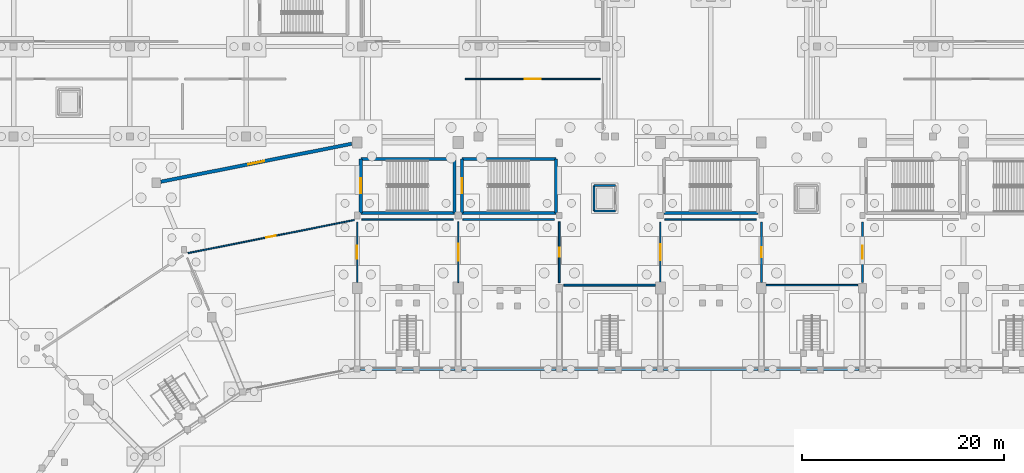
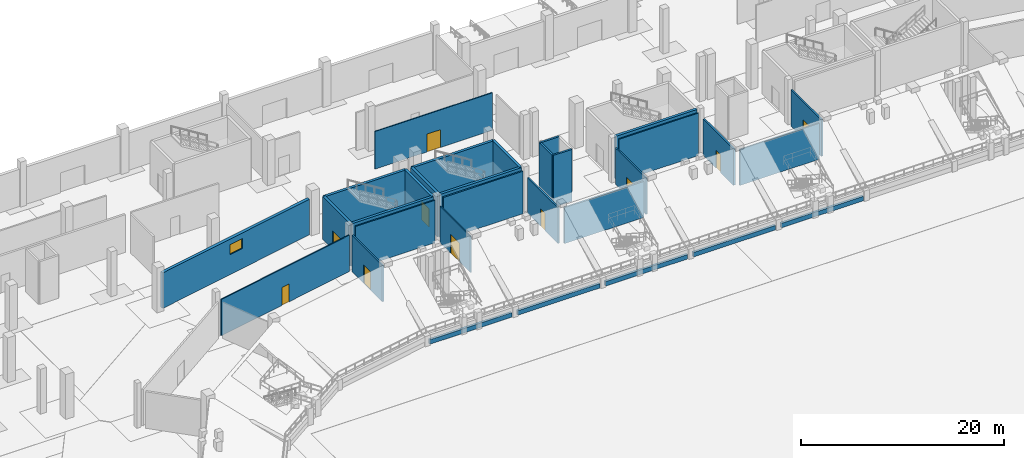
# One storey, part 38 of 68: 31 walls, 10 doors, 1 window, 11 openings.
"""IFC4 building model written with IfcOpenShell, lengths in metres."""

from ifc_helpers import new_model, si_unit, direction, frame, frame_2d, origin, place, context, subcontext, project, spatial, rectangle, extrude, material, layer, layer_set, type_object, element, fill, save


model = new_model("IFC4")

# Units and contexts
model_context = context("Model", 3, precision=1e-05, world=origin(), true_north=direction((0.0, 1.0)))
body_context = subcontext(model_context, "Body", "Model", "MODEL_VIEW")
ifc_project = project(units=[si_unit("LENGTHUNIT", "METRE"), si_unit("AREAUNIT", "SQUARE_METRE"), si_unit("VOLUMEUNIT", "CUBIC_METRE"), si_unit("PLANEANGLEUNIT", "RADIAN"), si_unit("MASSUNIT", "GRAM", prefix="KILO")], contexts=[model_context])

# Site, building, storey
site_placement = place(None, origin())
site = spatial("IfcSite", under=ifc_project, at=site_placement, CompositionType="ELEMENT")
building_placement = place(site_placement, origin())
building = spatial("IfcBuilding", under=site, at=building_placement, Name="Candeia Ridge Stadium", CompositionType="ELEMENT")
storey_placement = place(building_placement, origin())
storey = spatial("IfcBuildingStorey", under=building, at=storey_placement, Name="L00", CompositionType="ELEMENT", Elevation=0.0)

# Walls
ifc_material_1 = material(Name="Gypsum Metal-Stud Partition", Category="gypsum")
ifc_layer_1 = layer(ifc_material_1, 0.14501953125, Name="Gypsum Metal-Stud Partition", Category="gypsum")
ifc_layer_set_1 = layer_set([ifc_layer_1], Name="Gypsum Metal-Stud Partition")
wall_type_1 = type_object("IfcWallType", Name="Athlete Recovery Partition 145", PredefinedType="PARTITIONING", material=ifc_layer_set_1)
wall_1_placement = place(storey_placement, frame((101.449951171875, 139.39990234375, 0.0), z_axis=(0.0, 0.0, 1.0), x_axis=(1.0, 0.0, 0.0)))
element("IfcWall", 1, at=wall_1_placement, inside=storey, type_object=wall_type_1, Name="Demising partition PT-L00-0119", PredefinedType="PARTITIONING", context=body_context, shape_type="SweptSolid", body=[
    extrude(rectangle(XDim=9.06005859375, YDim=0.14501953125, at=frame_2d((4.530029296875, 0.0))), origin(), (0.0, 0.0, 1.0), 5.1201171875),
])
ifc_material_2 = material(Name="Gypsum Acoustic Twin-Stud Assembly", Category="gypsum")
ifc_layer_2 = layer(ifc_material_2, 0.159912109375, Name="Gypsum Acoustic Twin-Stud Assembly", Category="gypsum")
ifc_layer_set_2 = layer_set([ifc_layer_2], Name="Gypsum Acoustic Twin-Stud Assembly")
wall_type_2 = type_object("IfcWallType", Name="Club Dining Acoustic Partition 160", PredefinedType="PARTITIONING", material=ifc_layer_set_2)
wall_2_placement = place(storey_placement, frame((120.510009765625, 132.89990234375, 0.0), z_axis=(0.0, 0.0, 1.0), x_axis=(-1.0, 0.0, 0.0)))
element("IfcWall", 2, at=wall_2_placement, inside=storey, type_object=wall_type_2, Name="Demising partition PT-L00-0117", PredefinedType="PARTITIONING", context=body_context, shape_type="SweptSolid", body=[
    extrude(rectangle(XDim=9.06005859375, YDim=0.159912109375, at=frame_2d((4.530029296875, 0.0))), origin(), (0.0, 0.0, 1.0), 4.324951171875),
])
ifc_material_3 = material(Name="Concrete Masonry Blockwork C25/30", Category="masonry")
ifc_layer_3 = layer(ifc_material_3, 0.14990234375, Name="Concrete Masonry Blockwork C25/30", Category="masonry")
ifc_layer_set_3 = layer_set([ifc_layer_3], Name="Concrete Masonry Blockwork C25/30")
wall_type_3 = type_object("IfcWallType", Name="Concourse Kiosk Partition 150", PredefinedType="PARTITIONING", material=ifc_layer_set_3)
wall_3_placement = place(storey_placement, frame((71.449951171875, 139.39990234375, 0.0), z_axis=(0.0, 0.0, 1.0), x_axis=(1.0, 0.0, 0.0)))
element("IfcWall", 3, at=wall_3_placement, inside=storey, type_object=wall_type_3, Name="Demising partition PT-L00-0125", PredefinedType="PARTITIONING", context=body_context, shape_type="SweptSolid", body=[
    extrude(rectangle(XDim=9.06005859375, YDim=0.14990234375, at=frame_2d((4.530029296875, 0.0))), origin(), (0.0, 0.0, 1.0), 5.1201171875),
])
ifc_material_4 = material(Name="Concrete C45/55", Category="concrete")
ifc_layer_4 = layer(ifc_material_4, 0.300048828125, Name="Concrete C45/55", Category="concrete")
ifc_layer_set_4 = layer_set([ifc_layer_4], Name="Concrete C45/55")
wall_type_4 = type_object("IfcWallType", Name="Core Shear Wall Concrete 300", PredefinedType="SHEAR", material=ifc_layer_set_4)
wall_4_placement = place(storey_placement, frame((71.350341796875, 140.05029296875, 0.0), z_axis=(0.0, 0.0, 1.0), x_axis=(1.0, 0.0, 0.0)))
element("IfcWall", 4, at=wall_4_placement, inside=storey, type_object=wall_type_4, Name="Core C01 left shear wall L00", PredefinedType="SHEAR", context=body_context, shape_type="SweptSolid", body=[
    extrude(rectangle(XDim=9.29931640625, YDim=0.300048828125, at=frame_2d((4.649658203125, 0.0))), origin(), (0.0, 0.0, 1.0), 5.139892578125),
])
wall_5_placement = place(storey_placement, frame((80.649658203125, 140.05029296875, 0.0), z_axis=(0.0, 0.0, 1.0), x_axis=(0.0, 1.0, 0.0)))
element("IfcWall", 5, at=wall_5_placement, inside=storey, type_object=wall_type_4, Name="Core C01 far shear wall L00", PredefinedType="SHEAR", context=body_context, shape_type="SweptSolid", body=[
    extrude(rectangle(XDim=5.349365234375, YDim=0.300048828125, at=frame_2d((2.6748046875, 0.0))), origin(), (0.0, 0.0, 1.0), 5.139892578125),
])
wall_6_placement = place(storey_placement, frame((80.649658203125, 145.399658203125, 0.0), z_axis=(0.0, 0.0, 1.0), x_axis=(-1.0, 0.0, 0.0)))
element("IfcWall", 6, at=wall_6_placement, inside=storey, type_object=wall_type_4, Name="Core C01 right shear wall L00", PredefinedType="SHEAR", context=body_context, shape_type="SweptSolid", body=[
    extrude(rectangle(XDim=9.29931640625, YDim=0.300048828125, at=frame_2d((4.649658203125, 0.0))), origin(), (0.0, 0.0, 1.0), 5.139892578125),
])

# Wall, opening, door
wall_7_placement = place(storey_placement, frame((71.350341796875, 145.399658203125, 0.0), z_axis=(0.0, 0.0, 1.0), x_axis=(0.0, -1.0, 0.0)))
wall_7 = element("IfcWall", 7, at=wall_7_placement, inside=storey, type_object=wall_type_4, Name="Core C01 near shear wall L00", PredefinedType="SHEAR", context=body_context, shape_type="SweptSolid", body=[
    extrude(rectangle(XDim=5.349365234375, YDim=0.300048828125, at=frame_2d((2.6748046875, 0.0))), origin(), (0.0, 0.0, 1.0), 5.139892578125),
])
opening_1_placement = place(wall_7_placement, frame((1.924560546875, 0.0, 0.0)))
opening_1 = element("IfcOpeningElement", 8, at=opening_1_placement, cuts=wall_7, Name="Opening FD01", PredefinedType="OPENING", context=body_context, shape_type="SweptSolid", body=[
    extrude(rectangle(XDim=1.5, YDim=2.199951171875, at=frame_2d((0.75, 1.10009765625))), frame((0.0, 0.159912109375, 0.0), z_axis=(0.0, -1.0, 0.0), x_axis=(1.0, 0.0, 0.0)), (0.0, 0.0, 1.0), 0.320068359375),
])
ifc_material_5 = material(Name="Galvanized Fire-Rated Steel", Category="steel")
door_type_1 = type_object("IfcDoorType", Name="Exit Stair Core Fire Door 1500x2200", OperationType="NOTDEFINED", PredefinedType="DOOR", material=ifc_material_5)
door_1_placement = place(opening_1_placement, frame((1.5, 0.0, 0.0), z_axis=(0.0, 0.0, 1.0), x_axis=(-1.0, 0.0, 0.0)))
door_1 = element("IfcDoor", 9, at=door_1_placement, inside=storey, type_object=door_type_1, Name="Exit stair fire door SD-ST01-L00", OperationType="DOUBLE_DOOR_SINGLE_SWING", OverallHeight=2.199951171875, OverallWidth=1.5, PredefinedType="DOOR", context=body_context, shape_type="SweptSolid", body=[
    extrude(rectangle(XDim=1.5, YDim=2.199951171875, at=frame_2d((0.75, 1.10009765625))), frame((0.0, 0.02490234375, 0.0), z_axis=(0.0, -1.0, 0.0), x_axis=(1.0, 0.0, 0.0)), (0.0, 0.0, 1.0), 0.050048828125),
])
fill(opening_1, door_1)

# Walls
wall_8_placement = place(storey_placement, frame((81.350341796875, 140.05029296875, 0.0), z_axis=(0.0, 0.0, 1.0), x_axis=(1.0, 0.0, 0.0)))
element("IfcWall", 10, at=wall_8_placement, inside=storey, type_object=wall_type_4, Name="Core C09 left shear wall L00", PredefinedType="SHEAR", context=body_context, shape_type="SweptSolid", body=[
    extrude(rectangle(XDim=9.29931640625, YDim=0.300048828125, at=frame_2d((4.649658203125, 0.0))), origin(), (0.0, 0.0, 1.0), 5.139892578125),
])
wall_9_placement = place(storey_placement, frame((90.649658203125, 140.05029296875, 0.0), z_axis=(0.0, 0.0, 1.0), x_axis=(0.0, 1.0, 0.0)))
element("IfcWall", 11, at=wall_9_placement, inside=storey, type_object=wall_type_4, Name="Core C09 far shear wall L00", PredefinedType="SHEAR", context=body_context, shape_type="SweptSolid", body=[
    extrude(rectangle(XDim=5.349365234375, YDim=0.300048828125, at=frame_2d((2.6748046875, 0.0))), origin(), (0.0, 0.0, 1.0), 5.139892578125),
])
wall_10_placement = place(storey_placement, frame((90.649658203125, 145.399658203125, 0.0), z_axis=(0.0, 0.0, 1.0), x_axis=(-1.0, 0.0, 0.0)))
element("IfcWall", 12, at=wall_10_placement, inside=storey, type_object=wall_type_4, Name="Core C09 right shear wall L00", PredefinedType="SHEAR", context=body_context, shape_type="SweptSolid", body=[
    extrude(rectangle(XDim=9.29931640625, YDim=0.300048828125, at=frame_2d((4.649658203125, 0.0))), origin(), (0.0, 0.0, 1.0), 5.139892578125),
])

# Wall, opening, door
wall_11_placement = place(storey_placement, frame((81.350341796875, 145.399658203125, 0.0), z_axis=(0.0, 0.0, 1.0), x_axis=(0.0, -1.0, 0.0)))
wall_11 = element("IfcWall", 13, at=wall_11_placement, inside=storey, type_object=wall_type_4, Name="Core C09 near shear wall L00", PredefinedType="SHEAR", context=body_context, shape_type="SweptSolid", body=[
    extrude(rectangle(XDim=5.349365234375, YDim=0.300048828125, at=frame_2d((2.6748046875, 0.0))), origin(), (0.0, 0.0, 1.0), 5.139892578125),
])
opening_2_placement = place(wall_11_placement, frame((1.924560546875, 0.0, 0.0)))
opening_2 = element("IfcOpeningElement", 14, at=opening_2_placement, cuts=wall_11, Name="Opening FD01", PredefinedType="OPENING", context=body_context, shape_type="SweptSolid", body=[
    extrude(rectangle(XDim=1.5, YDim=2.199951171875, at=frame_2d((0.75, 1.10009765625))), frame((0.0, 0.159912109375, 0.0), z_axis=(0.0, -1.0, 0.0), x_axis=(1.0, 0.0, 0.0)), (0.0, 0.0, 1.0), 0.320068359375),
])
door_2_placement = place(opening_2_placement, frame((1.5, 0.0, 0.0), z_axis=(0.0, 0.0, 1.0), x_axis=(-1.0, 0.0, 0.0)))
door_2 = element("IfcDoor", 15, at=door_2_placement, inside=storey, type_object=door_type_1, Name="Exit stair fire door SD-ST09-L00", OperationType="DOUBLE_DOOR_SINGLE_SWING", OverallHeight=2.199951171875, OverallWidth=1.5, PredefinedType="DOOR", context=body_context, shape_type="SweptSolid", body=[
    extrude(rectangle(XDim=1.5, YDim=2.199951171875, at=frame_2d((0.75, 1.10009765625))), frame((0.0, 0.02490234375, 0.0), z_axis=(0.0, -1.0, 0.0), x_axis=(1.0, 0.0, 0.0)), (0.0, 0.0, 1.0), 0.050048828125),
])
fill(opening_2, door_2)

# Wall
wall_12_placement = place(storey_placement, frame((101.350341796875, 140.05029296875, 0.0), z_axis=(0.0, 0.0, 1.0), x_axis=(1.0, 0.0, 0.0)))
element("IfcWall", 16, at=wall_12_placement, inside=storey, type_object=wall_type_4, Name="Core C17 left shear wall L00", PredefinedType="SHEAR", context=body_context, shape_type="SweptSolid", body=[
    extrude(rectangle(XDim=9.29931640625, YDim=0.300048828125, at=frame_2d((4.649658203125, 0.0))), origin(), (0.0, 0.0, 1.0), 5.139892578125),
])

# Wall, opening, door
ifc_layer_5 = layer(ifc_material_2, 0.179931640625, Name="Gypsum Acoustic Twin-Stud Assembly", Category="gypsum")
ifc_layer_set_5 = layer_set([ifc_layer_5], Name="Gypsum Acoustic Twin-Stud Assembly")
wall_type_5 = type_object("IfcWallType", Name="Corridor Fire Partition 180", PredefinedType="PARTITIONING", material=ifc_layer_set_5)
wall_13_placement = place(storey_placement, frame((91.0, 133.14990234375, 0.0), z_axis=(0.0, 0.0, 1.0), x_axis=(0.0, 1.0, 0.0)))
wall_13 = element("IfcWall", 17, at=wall_13_placement, inside=storey, type_object=wall_type_5, Name="Interior partition PT-L00-0120", PredefinedType="PARTITIONING", context=body_context, shape_type="SweptSolid", body=[
    extrude(rectangle(XDim=6.0, YDim=0.179931640625, at=frame_2d((3.0, 0.0))), origin(), (0.0, 0.0, 1.0), 4.304931640625),
])
opening_3_placement = place(wall_13_placement, frame((2.550048828125, 0.0, 0.0)))
opening_3 = element("IfcOpeningElement", 18, at=opening_3_placement, cuts=wall_13, Name="Opening ID07", PredefinedType="OPENING", context=body_context, shape_type="SweptSolid", body=[
    extrude(rectangle(XDim=0.89990234375, YDim=2.10009765625, at=frame_2d((0.449951171875, 1.050048828125))), frame((0.0, 0.099853515625, 0.0), z_axis=(0.0, -1.0, 0.0), x_axis=(1.0, 0.0, 0.0)), (0.0, 0.0, 1.0), 0.199951171875),
])
ifc_material_6 = material(Name="Moisture-Resistant Laminate", Category="wood")
door_type_2 = type_object("IfcDoorType", Name="Sanitary Lobby Single Door 900x2100", OperationType="NOTDEFINED", PredefinedType="DOOR", material=ifc_material_6)
door_3_placement = place(opening_3_placement, frame((0.89990234375, 0.0, 0.0), z_axis=(0.0, 0.0, 1.0), x_axis=(-1.0, 0.0, 0.0)))
door_3 = element("IfcDoor", 19, at=door_3_placement, inside=storey, type_object=door_type_2, Name="Interior room door D-L00-0064", OperationType="SINGLE_SWING_RIGHT", OverallHeight=2.10009765625, OverallWidth=0.89990234375, PredefinedType="DOOR", context=body_context, shape_type="SweptSolid", body=[
    extrude(rectangle(XDim=0.89990234375, YDim=2.10009765625, at=frame_2d((0.449951171875, 1.050048828125))), frame((0.0, 0.02490234375, 0.0), z_axis=(0.0, -1.0, 0.0), x_axis=(1.0, 0.0, 0.0)), (0.0, 0.0, 1.0), 0.050048828125),
])
fill(opening_3, door_3)

# Wall, opening, window
ifc_material_7 = material(Name="Concrete C40/50", Category="concrete")
ifc_layer_6 = layer(ifc_material_7, 0.340087890625, Name="Concrete C40/50", Category="concrete")
ifc_layer_set_6 = layer_set([ifc_layer_6], Name="Concrete C40/50")
wall_type_6 = type_object("IfcWallType", Name="Exterior Acoustic Bowl Plinth Wall 340", PredefinedType="SOLIDWALL", material=ifc_layer_set_6)
wall_14_placement = place(storey_placement, frame((70.44970703125, 146.890380859375, 0.0), z_axis=(0.0, 0.0, 1.0), x_axis=(-0.980787488403, -0.195079221324, 0.0)))
wall_14 = element("IfcWall", 20, at=wall_14_placement, inside=storey, type_object=wall_type_6, Name="Bowl plinth exterior wall EW-L00-0001", PredefinedType="SOLIDWALL", context=body_context, shape_type="SweptSolid", body=[
    extrude(rectangle(XDim=19.24560546875, YDim=0.340087890625, at=frame_2d((9.622802734375, 0.0))), origin(), (0.0, 0.0, 1.0), 4.27490234375),
])
opening_4_placement = place(wall_14_placement, frame((8.82275390625, 0.0, 2.39990234375)))
opening_4 = element("IfcOpeningElement", 21, at=opening_4_placement, cuts=wall_14, Name="Opening W15", PredefinedType="OPENING", context=body_context, shape_type="SweptSolid", body=[
    extrude(rectangle(XDim=1.60009765625, YDim=1.199951171875, at=frame_2d((0.800048828125, 0.60009765625))), frame((0.0, 0.179931640625, 0.0), z_axis=(0.0, -1.0, 0.0), x_axis=(1.0, 0.0, 0.0)), (0.0, 0.0, 1.0), 0.360107421875),
])
ifc_material_8 = material(Name="Tempered Solar-Control Double Glazing", Category="glass")
window_type = type_object("IfcWindowType", Name="Plant Acoustic Louvre Window 1600x1200", PartitioningType="SINGLE_PANEL", PredefinedType="WINDOW", material=ifc_material_8)
window_placement = place(opening_4_placement, origin())
window = element("IfcWindow", 22, at=window_placement, inside=storey, type_object=window_type, Name="Bowl plinth louvre window WIN-BWL-001", OverallHeight=1.199951171875, OverallWidth=1.60009765625, PartitioningType="SINGLE_PANEL", PredefinedType="WINDOW", context=body_context, shape_type="SweptSolid", body=[
    extrude(rectangle(XDim=1.60009765625, YDim=1.199951171875, at=frame_2d((0.800048828125, 0.60009765625))), frame((0.0, 0.030029296875, 0.0), z_axis=(0.0, -1.0, 0.0), x_axis=(1.0, 0.0, 0.0)), (0.0, 0.0, 1.0), 0.06005859375),
])
fill(opening_4, window)

# Wall, opening, door
ifc_layer_7 = layer(ifc_material_1, 0.135009765625, Name="Gypsum Metal-Stud Partition", Category="gypsum")
ifc_layer_set_7 = layer_set([ifc_layer_7], Name="Gypsum Metal-Stud Partition")
wall_type_7 = type_object("IfcWallType", Name="General Room Partition 135", PredefinedType="PARTITIONING", material=ifc_layer_set_7)
wall_15_placement = place(storey_placement, frame((81.0, 133.14990234375, 0.0), z_axis=(0.0, 0.0, 1.0), x_axis=(0.0, 1.0, 0.0)))
wall_15 = element("IfcWall", 23, at=wall_15_placement, inside=storey, type_object=wall_type_7, Name="Interior partition PT-L00-0122", PredefinedType="PARTITIONING", context=body_context, shape_type="SweptSolid", body=[
    extrude(rectangle(XDim=6.0, YDim=0.135009765625, at=frame_2d((3.0, 0.0))), origin(), (0.0, 0.0, 1.0), 4.344970703125),
])
opening_5_placement = place(wall_15_placement, frame((2.14990234375, 0.0, 0.0)))
opening_5 = element("IfcOpeningElement", 24, at=opening_5_placement, cuts=wall_15, Name="Opening ID09", PredefinedType="OPENING", context=body_context, shape_type="SweptSolid", body=[
    extrude(rectangle(XDim=1.699951171875, YDim=2.25, at=frame_2d((0.85009765625, 1.125))), frame((0.0, 0.077392578125, 0.0), z_axis=(0.0, -1.0, 0.0), x_axis=(1.0, 0.0, 0.0)), (0.0, 0.0, 1.0), 0.155029296875),
])
ifc_material_9 = material(Name="Timber Fire-Rated Acoustic", Category="wood")
door_type_3 = type_object("IfcDoorType", Name="Founders Lounge Double Door 1700x2250", OperationType="NOTDEFINED", PredefinedType="DOOR", material=ifc_material_9)
door_4_placement = place(opening_5_placement, origin())
door_4 = element("IfcDoor", 25, at=door_4_placement, inside=storey, type_object=door_type_3, Name="Interior room door D-L00-0065", OperationType="DOUBLE_DOOR_SINGLE_SWING", OverallHeight=2.25, OverallWidth=1.699951171875, PredefinedType="DOOR", context=body_context, shape_type="SweptSolid", body=[
    extrude(rectangle(XDim=1.699951171875, YDim=2.25, at=frame_2d((0.85009765625, 1.125))), frame((0.0, 0.02490234375, 0.0), z_axis=(0.0, -1.0, 0.0), x_axis=(1.0, 0.0, 0.0)), (0.0, 0.0, 1.0), 0.050048828125),
])
fill(opening_5, door_4)

# Walls
ifc_layer_8 = layer(ifc_material_2, 0.1650390625, Name="Gypsum Acoustic Twin-Stud Assembly", Category="gypsum")
ifc_layer_set_8 = layer_set([ifc_layer_8], Name="Gypsum Acoustic Twin-Stud Assembly")
wall_type_8 = type_object("IfcWallType", Name="Hospitality Suite Acoustic Wall 165", PredefinedType="PARTITIONING", material=ifc_layer_set_8)
wall_16_placement = place(storey_placement, frame((81.449951171875, 139.39990234375, 0.0), z_axis=(0.0, 0.0, 1.0), x_axis=(1.0, 0.0, 0.0)))
element("IfcWall", 26, at=wall_16_placement, inside=storey, type_object=wall_type_8, Name="Demising partition PT-L00-0123", PredefinedType="PARTITIONING", context=body_context, shape_type="SweptSolid", body=[
    extrude(rectangle(XDim=9.06005859375, YDim=0.1650390625, at=frame_2d((4.530029296875, 0.0))), origin(), (0.0, 0.0, 1.0), 5.1201171875),
])
ifc_layer_9 = layer(ifc_material_7, 0.219970703125, Name="Concrete C40/50", Category="concrete")
ifc_layer_set_9 = layer_set([ifc_layer_9], Name="Concrete C40/50")
wall_type_9 = type_object("IfcWallType", Name="Lift & Riser Shaft Wall 220", PredefinedType="SHEAR", material=ifc_layer_set_9)
for number, where, z_axis, x_axis, name in (
    (27, (94.43994140625, 140.239990234375, -1.10009765625), (0.0, 0.0, 1.0), (1.0, 0.0, 0.0), "Lift PL1 shaft wall L00 south"),
    (28, (96.56005859375, 142.760009765625, -1.10009765625), (0.0, 0.0, 1.0), (-1.0, 0.0, 0.0), "Lift PL1 shaft wall L00 north"),
):
    element("IfcWall", number, at=place(storey_placement, frame(where, z_axis=z_axis, x_axis=x_axis)), inside=storey, type_object=wall_type_9, Name=name, PredefinedType="SHEAR", context=body_context, shape_type="SweptSolid", body=[
        extrude(rectangle(XDim=2.1201171875, YDim=0.219970703125, at=frame_2d((1.06005859375, 0.0))), origin(), (0.0, 0.0, 1.0), 6.239990234375),
    ])
wall_17_placement = place(storey_placement, frame((94.43994140625, 142.760009765625, -1.10009765625), z_axis=(0.0, 0.0, 1.0), x_axis=(0.0, -1.0, 0.0)))
element("IfcWall", 29, at=wall_17_placement, inside=storey, type_object=wall_type_9, Name="Lift PL1 shaft wall L00 west", PredefinedType="SHEAR", context=body_context, shape_type="SweptSolid", body=[
    extrude(rectangle(XDim=2.52001953125, YDim=0.219970703125, at=frame_2d((1.260009765625, 0.0))), origin(), (0.0, 0.0, 1.0), 6.239990234375),
])

# Wall, opening, door
ifc_material_10 = material(Name="Gypsum Acoustic Triple-Board Wall", Category="gypsum")
ifc_layer_10 = layer(ifc_material_10, 0.18994140625, Name="Gypsum Acoustic Triple-Board Wall", Category="gypsum")
ifc_layer_set_10 = layer_set([ifc_layer_10], Name="Gypsum Acoustic Triple-Board Wall")
wall_type_10 = type_object("IfcWallType", Name="Media & Commentary Studio Wall 190", PredefinedType="PARTITIONING", material=ifc_layer_set_10)
wall_18_placement = place(storey_placement, frame((121.0, 133.14990234375, 0.0), z_axis=(0.0, 0.0, 1.0), x_axis=(0.0, 1.0, 0.0)))
wall_18 = element("IfcWall", 30, at=wall_18_placement, inside=storey, type_object=wall_type_10, Name="Interior partition PT-L00-0114", PredefinedType="PARTITIONING", context=body_context, shape_type="SweptSolid", body=[
    extrude(rectangle(XDim=6.0, YDim=0.18994140625, at=frame_2d((3.0, 0.0))), origin(), (0.0, 0.0, 1.0), 4.375),
])
opening_6_placement = place(wall_18_placement, frame((2.35009765625, 0.0, 0.0)))
opening_6 = element("IfcOpeningElement", 31, at=opening_6_placement, cuts=wall_18, Name="Opening ID13", PredefinedType="OPENING", context=body_context, shape_type="SweptSolid", body=[
    extrude(rectangle(XDim=1.300048828125, YDim=2.199951171875, at=frame_2d((0.64990234375, 1.10009765625))), frame((0.0, 0.10498046875, 0.0), z_axis=(0.0, -1.0, 0.0), x_axis=(1.0, 0.0, 0.0)), (0.0, 0.0, 1.0), 0.2099609375),
])
door_type_4 = type_object("IfcDoorType", Name="Medical Clinic Wide Door 1300x2200", OperationType="NOTDEFINED", PredefinedType="DOOR", material=ifc_material_6)
door_5_placement = place(opening_6_placement, origin())
door_5 = element("IfcDoor", 32, at=door_5_placement, inside=storey, type_object=door_type_4, Name="Interior room door D-L00-0061", OperationType="SINGLE_SWING_RIGHT", OverallHeight=2.199951171875, OverallWidth=1.300048828125, PredefinedType="DOOR", context=body_context, shape_type="SweptSolid", body=[
    extrude(rectangle(XDim=1.300048828125, YDim=2.199951171875, at=frame_2d((0.64990234375, 1.10009765625))), frame((0.0, 0.02490234375, 0.0), z_axis=(0.0, -1.0, 0.0), x_axis=(1.0, 0.0, 0.0)), (0.0, 0.0, 1.0), 0.050048828125),
])
fill(opening_6, door_5)

# Wall
ifc_layer_11 = layer(ifc_material_10, 0.18505859375, Name="Gypsum Acoustic Triple-Board Wall", Category="gypsum")
ifc_layer_set_11 = layer_set([ifc_layer_11], Name="Gypsum Acoustic Triple-Board Wall")
wall_type_11 = type_object("IfcWallType", Name="Media Booth Studio Divider 185", PredefinedType="PARTITIONING", material=ifc_layer_set_11)
wall_19_placement = place(storey_placement, frame((100.510009765625, 132.89990234375, 0.0), z_axis=(0.0, 0.0, 1.0), x_axis=(-1.0, 0.0, 0.0)))
element("IfcWall", 33, at=wall_19_placement, inside=storey, type_object=wall_type_11, Name="Demising partition PT-L00-0121", PredefinedType="PARTITIONING", context=body_context, shape_type="SweptSolid", body=[
    extrude(rectangle(XDim=9.06005859375, YDim=0.18505859375, at=frame_2d((4.530029296875, 0.0))), origin(), (0.0, 0.0, 1.0), 4.324951171875),
])

# Wall, opening, door
ifc_layer_12 = layer(ifc_material_2, 0.175048828125, Name="Gypsum Acoustic Twin-Stud Assembly", Category="gypsum")
ifc_layer_set_12 = layer_set([ifc_layer_12], Name="Gypsum Acoustic Twin-Stud Assembly")
wall_type_12 = type_object("IfcWallType", Name="Museum Acoustic Gallery Wall 175", PredefinedType="PARTITIONING", material=ifc_layer_set_12)
wall_20_placement = place(storey_placement, frame((71.0, 133.14990234375, 0.0), z_axis=(0.0, 0.0, 1.0), x_axis=(0.0, 1.0, 0.0)))
wall_20 = element("IfcWall", 34, at=wall_20_placement, inside=storey, type_object=wall_type_12, Name="Interior partition PT-L00-0124", PredefinedType="PARTITIONING", context=body_context, shape_type="SweptSolid", body=[
    extrude(rectangle(XDim=6.0, YDim=0.175048828125, at=frame_2d((3.0, 0.0))), origin(), (0.0, 0.0, 1.0), 4.375),
])
opening_7_placement = place(wall_20_placement, frame((2.35009765625, 0.0, 0.0)))
opening_7 = element("IfcOpeningElement", 35, at=opening_7_placement, cuts=wall_20, Name="Opening ID13", PredefinedType="OPENING", context=body_context, shape_type="SweptSolid", body=[
    extrude(rectangle(XDim=1.300048828125, YDim=2.199951171875, at=frame_2d((0.64990234375, 1.10009765625))), frame((0.0, 0.097412109375, 0.0), z_axis=(0.0, -1.0, 0.0), x_axis=(1.0, 0.0, 0.0)), (0.0, 0.0, 1.0), 0.195068359375),
])
door_6_placement = place(opening_7_placement, origin())
door_6 = element("IfcDoor", 36, at=door_6_placement, inside=storey, type_object=door_type_4, Name="Interior room door D-L00-0066", OperationType="SINGLE_SWING_LEFT", OverallHeight=2.199951171875, OverallWidth=1.300048828125, PredefinedType="DOOR", context=body_context, shape_type="SweptSolid", body=[
    extrude(rectangle(XDim=1.300048828125, YDim=2.199951171875, at=frame_2d((0.64990234375, 1.10009765625))), frame((0.0, 0.02490234375, 0.0), z_axis=(0.0, -1.0, 0.0), x_axis=(1.0, 0.0, 0.0)), (0.0, 0.0, 1.0), 0.050048828125),
])
fill(opening_7, door_6)

# Walls
ifc_layer_13 = layer(ifc_material_4, 0.264892578125, Name="Concrete C45/55", Category="concrete")
ifc_layer_set_13 = layer_set([ifc_layer_13], Name="Concrete C45/55")
wall_type_13 = type_object("IfcWallType", Name="Pitch-Side Moat Retaining Wall 265", PredefinedType="SOLIDWALL", material=ifc_layer_set_13)
for number, where, z_axis, x_axis, name in (
    (37, (120.679931640625, 124.60009765625, 0.0), (0.0, 0.0, 1.0), (-1.0, 0.0, 0.0), "Pitch-side moat wall EW-L00-0011"),
    (38, (110.679931640625, 124.60009765625, 0.0), (0.0, 0.0, 1.0), (-1.0, 0.0, 0.0), "Pitch-side moat wall EW-L00-0012"),
    (39, (100.679931640625, 124.60009765625, 0.0), (0.0, 0.0, 1.0), (-1.0, 0.0, 0.0), "Pitch-side moat wall EW-L00-0013"),
    (40, (90.679931640625, 124.60009765625, 0.0), (0.0, 0.0, 1.0), (-1.0, 0.0, 0.0), "Pitch-side moat wall EW-L00-0014"),
    (41, (80.679931640625, 124.60009765625, 0.0), (0.0, 0.0, 1.0), (-1.0, 0.0, 0.0), "Pitch-side moat wall EW-L00-0015"),
):
    element("IfcWall", number, at=place(storey_placement, frame(where, z_axis=z_axis, x_axis=x_axis)), inside=storey, type_object=wall_type_13, Name=name, PredefinedType="SOLIDWALL", context=body_context, shape_type="SweptSolid", body=[
        extrude(rectangle(XDim=9.35986328125, YDim=0.264892578125, at=frame_2d((4.679931640625, 0.0))), origin(), (0.0, 0.0, 1.0), 0.5400390625),
    ])

# Wall, opening, door
ifc_material_11 = material(Name="Moisture-Resistant Masonry & Tile", Category="masonry")
ifc_layer_14 = layer(ifc_material_11, 0.2099609375, Name="Moisture-Resistant Masonry & Tile", Category="masonry")
ifc_layer_set_14 = layer_set([ifc_layer_14], Name="Moisture-Resistant Masonry & Tile")
wall_type_14 = type_object("IfcWallType", Name="Sanitary Wet-Wall Plumbing Chase 210", PredefinedType="PLUMBINGWALL", material=ifc_layer_set_14)
wall_21_placement = place(storey_placement, frame((111.0, 133.14990234375, 0.0), z_axis=(0.0, 0.0, 1.0), x_axis=(0.0, 1.0, 0.0)))
wall_21 = element("IfcWall", 42, at=wall_21_placement, inside=storey, type_object=wall_type_14, Name="Interior partition PT-L00-0116", PredefinedType="PLUMBINGWALL", context=body_context, shape_type="SweptSolid", body=[
    extrude(rectangle(XDim=6.0, YDim=0.2099609375, at=frame_2d((3.0, 0.0))), origin(), (0.0, 0.0, 1.0), 4.364990234375),
])
opening_8_placement = place(wall_21_placement, frame((2.52001953125, 0.0, 0.0)))
opening_8 = element("IfcOpeningElement", 43, at=opening_8_placement, cuts=wall_21, Name="Opening ID17", PredefinedType="OPENING", context=body_context, shape_type="SweptSolid", body=[
    extrude(rectangle(XDim=0.9599609375, YDim=2.14990234375, at=frame_2d((0.47998046875, 1.074951171875))), frame((0.0, 0.114990234375, 0.0), z_axis=(0.0, -1.0, 0.0), x_axis=(1.0, 0.0, 0.0)), (0.0, 0.0, 1.0), 0.22998046875),
])
ifc_material_12 = material(Name="Solid Core Cedar Veneer", Category="wood")
door_type_5 = type_object("IfcDoorType", Name="Ticketing Office Single Door 960x2150", OperationType="NOTDEFINED", PredefinedType="DOOR", material=ifc_material_12)
door_7_placement = place(opening_8_placement, frame((0.9599609375, 0.0, 0.0), z_axis=(0.0, 0.0, 1.0), x_axis=(-1.0, 0.0, 0.0)))
door_7 = element("IfcDoor", 44, at=door_7_placement, inside=storey, type_object=door_type_5, Name="Interior room door D-L00-0062", OperationType="SINGLE_SWING_LEFT", OverallHeight=2.14990234375, OverallWidth=0.9599609375, PredefinedType="DOOR", context=body_context, shape_type="SweptSolid", body=[
    extrude(rectangle(XDim=0.9599609375, YDim=2.14990234375, at=frame_2d((0.47998046875, 1.074951171875))), frame((0.0, 0.02490234375, 0.0), z_axis=(0.0, -1.0, 0.0), x_axis=(1.0, 0.0, 0.0)), (0.0, 0.0, 1.0), 0.050048828125),
])
fill(opening_8, door_7)

ifc_layer_15 = layer(ifc_material_2, 0.169921875, Name="Gypsum Acoustic Twin-Stud Assembly", Category="gypsum")
ifc_layer_set_15 = layer_set([ifc_layer_15], Name="Gypsum Acoustic Twin-Stud Assembly")
wall_type_15 = type_object("IfcWallType", Name="Skybox Demising Acoustic Wall 170", PredefinedType="PARTITIONING", material=ifc_layer_set_15)
wall_22_placement = place(storey_placement, frame((101.0, 133.14990234375, 0.0), z_axis=(0.0, 0.0, 1.0), x_axis=(0.0, 1.0, 0.0)))
wall_22 = element("IfcWall", 45, at=wall_22_placement, inside=storey, type_object=wall_type_15, Name="Interior partition PT-L00-0118", PredefinedType="PARTITIONING", context=body_context, shape_type="SweptSolid", body=[
    extrude(rectangle(XDim=6.0, YDim=0.169921875, at=frame_2d((3.0, 0.0))), origin(), (0.0, 0.0, 1.0), 4.385009765625),
])
opening_9_placement = place(wall_22_placement, frame((2.199951171875, 0.0, 0.0)))
opening_9 = element("IfcOpeningElement", 46, at=opening_9_placement, cuts=wall_22, Name="Opening ID03", PredefinedType="OPENING", context=body_context, shape_type="SweptSolid", body=[
    extrude(rectangle(XDim=1.60009765625, YDim=2.199951171875, at=frame_2d((0.800048828125, 1.10009765625))), frame((0.0, 0.094970703125, 0.0), z_axis=(0.0, -1.0, 0.0), x_axis=(1.0, 0.0, 0.0)), (0.0, 0.0, 1.0), 0.18994140625),
])
ifc_material_13 = material(Name="Solid Core Hardwood Veneer", Category="wood")
door_type_6 = type_object("IfcDoorType", Name="Athlete Dressing Double Door 1600x2200", OperationType="NOTDEFINED", PredefinedType="DOOR", material=ifc_material_13)
door_8_placement = place(opening_9_placement, origin())
door_8 = element("IfcDoor", 47, at=door_8_placement, inside=storey, type_object=door_type_6, Name="Interior room door D-L00-0063", OperationType="DOUBLE_DOOR_SINGLE_SWING", OverallHeight=2.199951171875, OverallWidth=1.60009765625, PredefinedType="DOOR", context=body_context, shape_type="SweptSolid", body=[
    extrude(rectangle(XDim=1.60009765625, YDim=2.199951171875, at=frame_2d((0.800048828125, 1.10009765625))), frame((0.0, 0.02490234375, 0.0), z_axis=(0.0, -1.0, 0.0), x_axis=(1.0, 0.0, 0.0)), (0.0, 0.0, 1.0), 0.050048828125),
])
fill(opening_9, door_8)

ifc_layer_16 = layer(ifc_material_1, 0.1201171875, Name="Gypsum Metal-Stud Partition", Category="gypsum")
ifc_layer_set_16 = layer_set([ifc_layer_16], Name="Gypsum Metal-Stud Partition")
wall_type_16 = type_object("IfcWallType", Name="Suite Internal Divider 120", PredefinedType="PARTITIONING", material=ifc_layer_set_16)
wall_23_placement = place(storey_placement, frame((81.68994140625, 153.300048828125, 0.0), z_axis=(0.0, 0.0, 1.0), x_axis=(1.0, 0.0, 0.0)))
wall_23 = element("IfcWall", 48, at=wall_23_placement, inside=storey, type_object=wall_type_16, Name="Interior partition PT-L00-0091", PredefinedType="PARTITIONING", context=body_context, shape_type="SweptSolid", body=[
    extrude(rectangle(XDim=13.360107421875, YDim=0.1201171875, at=frame_2d((6.68017578125, 0.0))), origin(), (0.0, 0.0, 1.0), 4.52490234375),
])
opening_10_placement = place(wall_23_placement, frame((5.905029296875, 0.0, 0.0)))
opening_10 = element("IfcOpeningElement", 49, at=opening_10_placement, cuts=wall_23, Name="Opening ID14", PredefinedType="OPENING", context=body_context, shape_type="SweptSolid", body=[
    extrude(rectangle(XDim=1.550048828125, YDim=2.14990234375, at=frame_2d((0.77490234375, 1.074951171875))), frame((0.0, 0.070068359375, 0.0), z_axis=(0.0, -1.0, 0.0), x_axis=(1.0, 0.0, 0.0)), (0.0, 0.0, 1.0), 0.14013671875),
])
ifc_material_14 = material(Name="Brushed Stainless Steel", Category="steel")
door_type_7 = type_object("IfcDoorType", Name="Catering Kitchen Double Door 1550x2150", OperationType="NOTDEFINED", PredefinedType="DOOR", material=ifc_material_14)
door_9_placement = place(opening_10_placement, origin())
door_9 = element("IfcDoor", 50, at=door_9_placement, inside=storey, type_object=door_type_7, Name="Interior room door D-L00-0049", OperationType="DOUBLE_DOOR_SINGLE_SWING", OverallHeight=2.14990234375, OverallWidth=1.550048828125, PredefinedType="DOOR", context=body_context, shape_type="SweptSolid", body=[
    extrude(rectangle(XDim=1.550048828125, YDim=2.14990234375, at=frame_2d((0.77490234375, 1.074951171875))), frame((0.0, 0.02490234375, 0.0), z_axis=(0.0, -1.0, 0.0), x_axis=(1.0, 0.0, 0.0)), (0.0, 0.0, 1.0), 0.050048828125),
])
fill(opening_10, door_9)

ifc_layer_17 = layer(ifc_material_1, 0.1298828125, Name="Gypsum Metal-Stud Partition", Category="gypsum")
ifc_layer_set_17 = layer_set([ifc_layer_17], Name="Gypsum Metal-Stud Partition")
wall_type_17 = type_object("IfcWallType", Name="Ticketing Back-Office Partition 130", PredefinedType="PARTITIONING", material=ifc_layer_set_17)
wall_24_placement = place(storey_placement, frame((54.254150390625, 136.069091796875, 0.0), z_axis=(0.0, 0.0, 1.0), x_axis=(0.980786027867, 0.195086564225, 0.0)))
wall_24 = element("IfcWall", 51, at=wall_24_placement, inside=storey, type_object=wall_type_17, Name="Interior partition PT-L00-0126", PredefinedType="PARTITIONING", context=body_context, shape_type="SweptSolid", body=[
    extrude(rectangle(XDim=16.783203125, YDim=0.1298828125, at=frame_2d((8.3916015625, 0.0))), origin(), (0.0, 0.0, 1.0), 4.375),
])
opening_11_placement = place(wall_24_placement, frame((7.91162109375, 0.0, 0.0)))
opening_11 = element("IfcOpeningElement", 52, at=opening_11_placement, cuts=wall_24, Name="Opening ID17", PredefinedType="OPENING", context=body_context, shape_type="SweptSolid", body=[
    extrude(rectangle(XDim=0.9599609375, YDim=2.14990234375, at=frame_2d((0.47998046875, 1.074951171875))), frame((0.0, 0.074951171875, 0.0), z_axis=(0.0, -1.0, 0.0), x_axis=(1.0, 0.0, 0.0)), (0.0, 0.0, 1.0), 0.14990234375),
])
door_10_placement = place(opening_11_placement, origin())
door_10 = element("IfcDoor", 53, at=door_10_placement, inside=storey, type_object=door_type_5, Name="Interior room door D-L00-0067", OperationType="SINGLE_SWING_RIGHT", OverallHeight=2.14990234375, OverallWidth=0.9599609375, PredefinedType="DOOR", context=body_context, shape_type="SweptSolid", body=[
    extrude(rectangle(XDim=0.9599609375, YDim=2.14990234375, at=frame_2d((0.47998046875, 1.074951171875))), frame((0.0, 0.02490234375, 0.0), z_axis=(0.0, -1.0, 0.0), x_axis=(1.0, 0.0, 0.0)), (0.0, 0.0, 1.0), 0.050048828125),
])
fill(opening_11, door_10)

save(model, "model.ifc")
